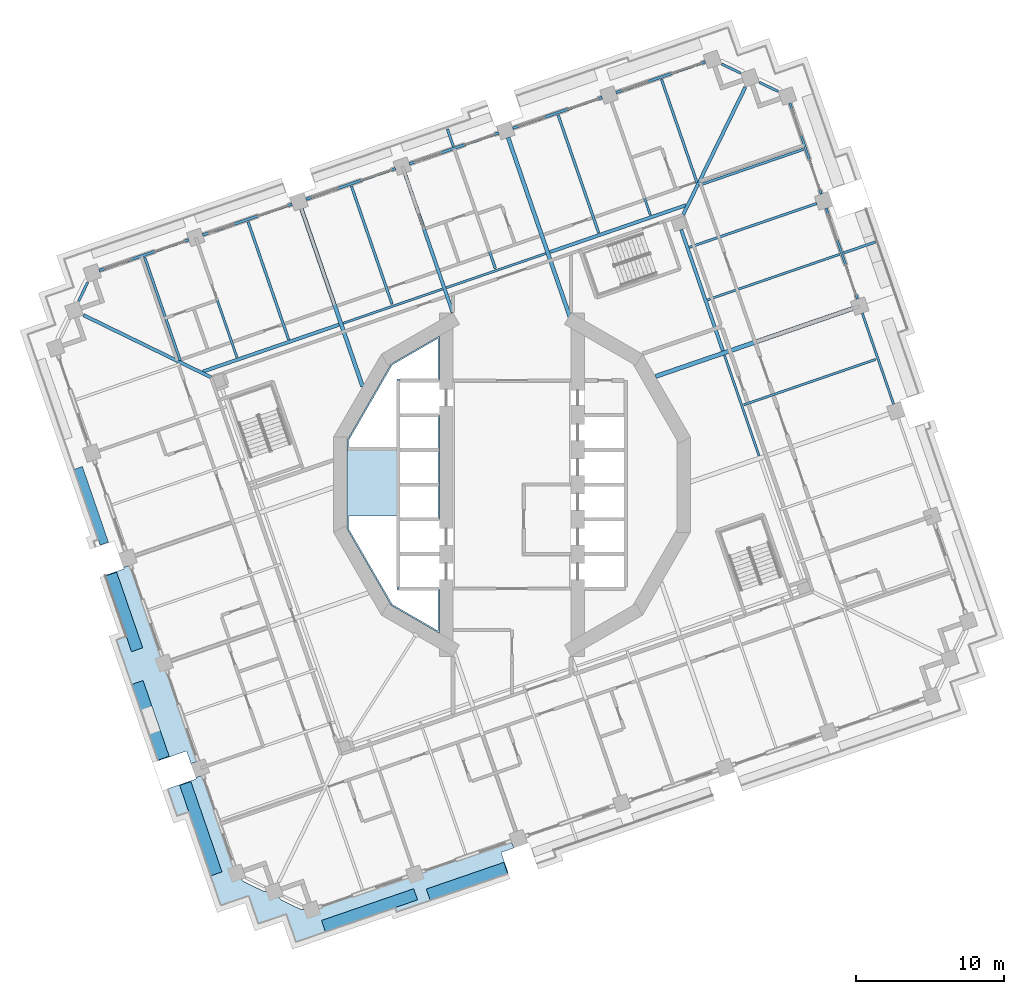
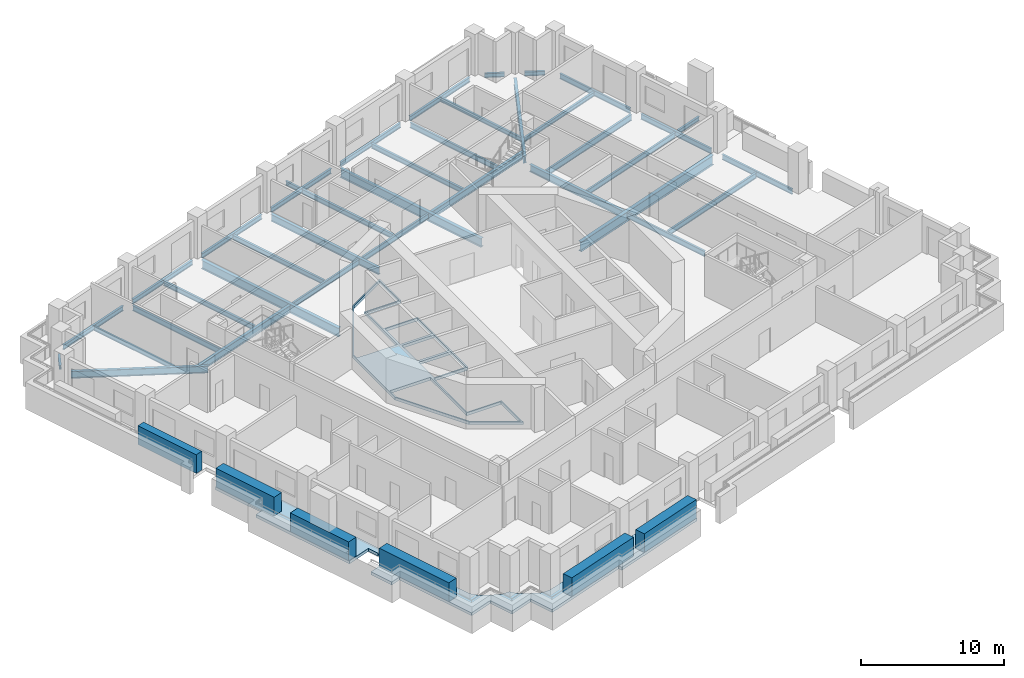
# One storey, part 2 of 19: 38 beams, 6 plates, 3 slabs.
"""IFC4 building model written with IfcOpenShell, lengths in metres."""

from ifc_helpers import new_model, si_unit, direction, frame, origin, origin_2d, place, context, subcontext, project, spatial, polyline, rectangle, i_section, outline, extrude, material, layer, layer_set, material_profile, profile_set, type_object, element, save


model = new_model("IFC4")

# Units and contexts
model_context = context("Model", 3, precision=1e-05, world=origin(), true_north=direction((0.0, 1.0)))
body_context = subcontext(model_context, "Body", "Model", "MODEL_VIEW")
ifc_project = project(units=[si_unit("LENGTHUNIT", "METRE"), si_unit("AREAUNIT", "SQUARE_METRE"), si_unit("VOLUMEUNIT", "CUBIC_METRE"), si_unit("PLANEANGLEUNIT", "RADIAN"), si_unit("MASSUNIT", "GRAM", prefix="KILO")], contexts=[model_context])

# Site, building, storey
site_placement = place(None, origin())
site = spatial("IfcSite", under=ifc_project, at=site_placement, CompositionType="ELEMENT")
building_placement = place(site_placement, origin())
building = spatial("IfcBuilding", under=site, at=building_placement, Name="Cantera Rosa Tower", CompositionType="ELEMENT")
storey_placement = place(building_placement, frame((0.0, 0.0, 111.699951171875)))
storey = spatial("IfcBuildingStorey", under=building, at=storey_placement, Name="L22", CompositionType="ELEMENT", Elevation=111.699951171875)

# Beams
ifc_material_1 = material(Name="Steel ASTM A992 (Fy 345 MPa)", Category="steel")
ifc_material_profile_1 = material_profile(ifc_material_1, i_section(OverallWidth=0.154052734375, OverallDepth=0.4599609375, WebThickness=0.009033203125, FlangeThickness=0.015380859375, FilletRadius=0.01025390625, at=origin_2d()), Name="W460X68")
ifc_profile_set_1 = profile_set([ifc_material_profile_1], Name="Steel ASTM A992 (Fy 345 MPa)")
beam_type_1 = type_object("IfcBeamType", Name="STEEL BEAM W460X68", PredefinedType="BEAM", material=ifc_profile_set_1)
for number, where, z_axis, x_axis, name in (
    (1, (6.7333984375, 25.903564453125, -0.47998046875), (0.325580085327, -0.945514467387, 0.0), (0.945514467387, 0.325580085327, 0.0), "G-Z2-05 L22"),
    (2, (-21.25390625, 16.2666015625, -0.47998046875), (0.325580085327, -0.945514467387, 0.0), (0.945514467387, 0.325580085327, 0.0), "G-Z2-09 L22"),
):
    element("IfcBeam", number, at=place(storey_placement, frame(where, z_axis=z_axis, x_axis=x_axis)), inside=storey, type_object=beam_type_1, Name=name, PredefinedType="BEAM", context=body_context, shape_type="SweptSolid", body=[
        extrude(i_section(OverallWidth=0.154052734375, OverallDepth=0.4599609375, WebThickness=0.009033203125, FlangeThickness=0.015380859375, FilletRadius=0.01025390625, at=origin_2d()), origin(), (0.0, 0.0, 1.0), 8.10009765625),
    ])
beam_1_placement = place(storey_placement, frame((-11.42919921875, 10.924072265625, -0.47998046875), z_axis=(0.945518325606, 0.32556888049, 0.0), x_axis=(-0.32556888049, 0.945518325606, 0.0)))
element("IfcBeam", 3, at=beam_1_placement, inside=storey, type_object=beam_type_1, Name="RB-Z2-02 L22", PredefinedType="BEAM", context=body_context, shape_type="SweptSolid", body=[
    extrude(i_section(OverallWidth=0.154052734375, OverallDepth=0.4599609375, WebThickness=0.009033203125, FlangeThickness=0.015380859375, FilletRadius=0.01025390625, at=origin_2d()), origin(), (0.0, 0.0, 1.0), 7.099853515625),
])
beam_2_placement = place(storey_placement, frame((-4.432373046875, 13.333251953125, -0.47998046875), z_axis=(0.945507740063, 0.325599621437, 0.0), x_axis=(-0.325599621437, 0.945507740063, 0.0)))
element("IfcBeam", 4, at=beam_2_placement, inside=storey, type_object=beam_type_1, Name="RB-Z2-03 L22", PredefinedType="BEAM", context=body_context, shape_type="SweptSolid", body=[
    extrude(i_section(OverallWidth=0.154052734375, OverallDepth=0.4599609375, WebThickness=0.009033203125, FlangeThickness=0.015380859375, FilletRadius=0.01025390625, at=origin_2d()), origin(), (0.0, 0.0, 1.0), 7.10009765625),
])
beam_3_placement = place(storey_placement, frame((16.72900390625, 1.9423828125, -0.47998046875), z_axis=(-0.325575881702, 0.94551591486, 0.0), x_axis=(-0.94551591486, -0.325575881702, 0.0)))
element("IfcBeam", 5, at=beam_3_placement, inside=storey, type_object=beam_type_1, Name="RB-Z2-10 L22", PredefinedType="BEAM", context=body_context, shape_type="SweptSolid", body=[
    extrude(i_section(OverallWidth=0.154052734375, OverallDepth=0.4599609375, WebThickness=0.009033203125, FlangeThickness=0.015380859375, FilletRadius=0.01025390625, at=origin_2d()), origin(), (0.0, 0.0, 1.0), 7.2197265625),
])
ifc_material_2 = material(Name="Steel ASTM A992 (Fy 345 MPa)", Category="steel")
ifc_material_profile_2 = material_profile(ifc_material_2, i_section(OverallWidth=0.166015625, OverallDepth=0.528076171875, WebThickness=0.009765625, FlangeThickness=0.013671875, FilletRadius=0.0126953125, at=origin_2d()), Name="W530X74")
ifc_profile_set_2 = profile_set([ifc_material_profile_2], Name="Steel ASTM A992 (Fy 345 MPa)")
beam_type_2 = type_object("IfcBeamType", Name="STEEL BEAM W530X74", PredefinedType="BEAM", material=ifc_profile_set_2)
beam_4_placement = place(storey_placement, frame((20.62744140625, 19.032470703125, -0.513916015625), z_axis=(-0.94551971591, -0.325564842737, 0.0), x_axis=(0.325564842737, -0.94551971591, 0.0)))
element("IfcBeam", 6, at=beam_4_placement, inside=storey, type_object=beam_type_2, Name="G-Z2-04 L22", PredefinedType="BEAM", context=body_context, shape_type="SweptSolid", body=[
    extrude(i_section(OverallWidth=0.166015625, OverallDepth=0.528076171875, WebThickness=0.009765625, FlangeThickness=0.013671875, FilletRadius=0.0126953125, at=origin_2d()), origin(), (0.0, 0.0, 1.0), 9.10009765625),
])
ifc_material_3 = material(Name="Steel ASTM A992 (Fy 345 MPa)", Category="steel")
ifc_material_profile_3 = material_profile(ifc_material_3, i_section(OverallWidth=0.22802734375, OverallDepth=0.60205078125, WebThickness=0.010498046875, FlangeThickness=0.014892578125, FilletRadius=0.0126953125, at=origin_2d()), Name="W610X101")
ifc_profile_set_3 = profile_set([ifc_material_profile_3], Name="Steel ASTM A992 (Fy 345 MPa)")
beam_type_3 = type_object("IfcBeamType", Name="STEEL BEAM W610X101", PredefinedType="BEAM", material=ifc_profile_set_3)
beam_5_placement = place(storey_placement, frame((15.7998046875, 26.909912109375, -0.551025390625), z_axis=(-0.438387618569, -0.898786012288, 0.0), x_axis=(0.898786012288, -0.438387618569, 0.0)))
element("IfcBeam", 7, at=beam_5_placement, inside=storey, type_object=beam_type_3, Name="CB-Z2-01 L22", PredefinedType="BEAM", context=body_context, shape_type="SweptSolid", body=[
    extrude(i_section(OverallWidth=0.22802734375, OverallDepth=0.60205078125, WebThickness=0.010498046875, FlangeThickness=0.014892578125, FilletRadius=0.0126953125, at=origin_2d()), origin(), (0.0, 0.0, 1.0), 9.61669921875),
])
beam_6_placement = place(storey_placement, frame((-29.017822265625, 11.47802734375, -0.551025390625), z_axis=(0.898796015179, -0.438367109965, 0.0), x_axis=(0.438367109965, 0.898796015179, 0.0)))
element("IfcBeam", 8, at=beam_6_placement, inside=storey, type_object=beam_type_3, Name="CB-Z2-02 L22", PredefinedType="BEAM", context=body_context, shape_type="SweptSolid", body=[
    extrude(i_section(OverallWidth=0.22802734375, OverallDepth=0.60205078125, WebThickness=0.010498046875, FlangeThickness=0.014892578125, FilletRadius=0.0126953125, at=origin_2d()), origin(), (0.0, 0.0, 1.0), 9.616455078125),
])
beam_7_placement = place(storey_placement, frame((-7.26025390625, 21.0849609375, -0.551025390625), z_axis=(0.325587365823, -0.945511960377, 0.0), x_axis=(0.945511960377, 0.325587365823, 0.0)))
element("IfcBeam", 9, at=beam_7_placement, inside=storey, type_object=beam_type_3, Name="G-Z2-07 L22", PredefinedType="BEAM", context=body_context, shape_type="SweptSolid", body=[
    extrude(i_section(OverallWidth=0.22802734375, OverallDepth=0.60205078125, WebThickness=0.010498046875, FlangeThickness=0.014892578125, FilletRadius=0.0126953125, at=origin_2d()), origin(), (0.0, 0.0, 1.0), 10.0),
])
beam_8_placement = place(storey_placement, frame((14.28076171875, 9.052490234375, -0.551025390625), z_axis=(-0.325559468466, 0.945521566381, 0.0), x_axis=(-0.945521566381, -0.325559468466, 0.0)))
element("IfcBeam", 10, at=beam_8_placement, inside=storey, type_object=beam_type_3, Name="RB-Z2-11 L22", PredefinedType="BEAM", context=body_context, shape_type="SweptSolid", body=[
    extrude(i_section(OverallWidth=0.22802734375, OverallDepth=0.60205078125, WebThickness=0.010498046875, FlangeThickness=0.014892578125, FilletRadius=0.0126953125, at=origin_2d()), origin(), (0.0, 0.0, 1.0), 8.68994140625),
])
ifc_material_4 = material(Name="Steel ASTM A992 (Fy 345 MPa)", Category="steel")
ifc_material_profile_4 = material_profile(ifc_material_4, i_section(OverallWidth=0.22900390625, OverallDepth=0.612060546875, WebThickness=0.011962890625, FlangeThickness=0.01953125, FilletRadius=0.0126953125, at=origin_2d()), Name="W610X125")
ifc_profile_set_4 = profile_set([ifc_material_profile_4], Name="Steel ASTM A992 (Fy 345 MPa)")
beam_type_4 = type_object("IfcBeamType", Name="STEEL BEAM W610X125", PredefinedType="BEAM", material=ifc_profile_set_4)
beam_9_placement = place(storey_placement, frame((-20.931640625, 7.652099609375, -0.555908203125), z_axis=(0.945517116269, 0.32557239263, 0.0), x_axis=(-0.32557239263, 0.945517116269, 0.0)))
element("IfcBeam", 11, at=beam_9_placement, inside=storey, type_object=beam_type_4, Name="RB-Z2-01 L22", PredefinedType="BEAM", context=body_context, shape_type="SweptSolid", body=[
    extrude(i_section(OverallWidth=0.22900390625, OverallDepth=0.612060546875, WebThickness=0.011962890625, FlangeThickness=0.01953125, FilletRadius=0.0126953125, at=origin_2d()), origin(), (0.0, 0.0, 1.0), 9.75),
])
beam_10_placement = place(storey_placement, frame((2.564453125, 15.74267578125, -0.555908203125), z_axis=(0.945524824291, 0.325550006372, 0.0), x_axis=(-0.325550006372, 0.945524824291, 0.0)))
element("IfcBeam", 12, at=beam_10_placement, inside=storey, type_object=beam_type_4, Name="RB-Z2-04 L22", PredefinedType="BEAM", context=body_context, shape_type="SweptSolid", body=[
    extrude(i_section(OverallWidth=0.22900390625, OverallDepth=0.612060546875, WebThickness=0.011962890625, FlangeThickness=0.01953125, FilletRadius=0.0126953125, at=origin_2d()), origin(), (0.0, 0.0, 1.0), 9.749755859375),
])
ifc_material_5 = material(Name="Steel ASTM A992 (Fy 345 MPa)", Category="steel")
ifc_material_profile_5 = material_profile(ifc_material_5, i_section(OverallWidth=0.26708984375, OverallDepth=0.75390625, WebThickness=0.01318359375, FlangeThickness=0.01708984375, FilletRadius=0.0166015625, at=origin_2d()), Name="W760X147")
ifc_profile_set_5 = profile_set([ifc_material_profile_5], Name="Steel ASTM A992 (Fy 345 MPa)")
beam_type_5 = type_object("IfcBeamType", Name="STEEL BEAM W760X147", PredefinedType="BEAM", material=ifc_profile_set_5)
beam_11_placement = place(storey_placement, frame((-0.263427734375, 23.494384765625, -0.626953125), z_axis=(0.325569500581, -0.945518112091, 0.0), x_axis=(0.945518112091, 0.325569500581, 0.0)))
element("IfcBeam", 13, at=beam_11_placement, inside=storey, type_object=beam_type_5, Name="G-Z2-06 L22", PredefinedType="BEAM", context=body_context, shape_type="SweptSolid", body=[
    extrude(i_section(OverallWidth=0.26708984375, OverallDepth=0.75390625, WebThickness=0.01318359375, FlangeThickness=0.01708984375, FilletRadius=0.0166015625, at=origin_2d()), origin(), (0.0, 0.0, 1.0), 13.09521484375),
])
beam_12_placement = place(storey_placement, frame((-14.257080078125, 18.67578125, -0.626953125), z_axis=(0.325575880476, -0.945515915282, 0.0), x_axis=(0.945515915282, 0.325575880476, 0.0)))
element("IfcBeam", 14, at=beam_12_placement, inside=storey, type_object=beam_type_5, Name="G-Z2-08 L22", PredefinedType="BEAM", context=body_context, shape_type="SweptSolid", body=[
    extrude(i_section(OverallWidth=0.26708984375, OverallDepth=0.75390625, WebThickness=0.01318359375, FlangeThickness=0.01708984375, FilletRadius=0.0166015625, at=origin_2d()), origin(), (0.0, 0.0, 1.0), 12.734375),
])
ifc_material_6 = material(Name="Steel ASTM A992 (Fy 345 MPa)", Category="steel")
ifc_material_profile_6 = material_profile(ifc_material_6, i_section(OverallWidth=0.2919921875, OverallDepth=0.8359375, WebThickness=0.013916015625, FlangeThickness=0.018798828125, FilletRadius=0.017822265625, at=origin_2d()), Name="W840X176")
ifc_profile_set_6 = profile_set([ifc_material_profile_6], Name="Steel ASTM A992 (Fy 345 MPa)")
beam_type_6 = type_object("IfcBeamType", Name="STEEL BEAM W840X176", PredefinedType="BEAM", material=ifc_profile_set_6)
beam_13_placement = place(storey_placement, frame((23.07568359375, 11.92236328125, -0.66796875), z_axis=(-0.945516836256, -0.325573205833, 0.0), x_axis=(0.325573205833, -0.945516836256, 0.0)))
element("IfcBeam", 15, at=beam_13_placement, inside=storey, type_object=beam_type_6, Name="G-Z2-03 L22", PredefinedType="BEAM", context=body_context, shape_type="SweptSolid", body=[
    extrude(i_section(OverallWidth=0.2919921875, OverallDepth=0.8359375, WebThickness=0.013916015625, FlangeThickness=0.018798828125, FilletRadius=0.017822265625, at=origin_2d()), origin(), (0.0, 0.0, 1.0), 14.130615234375),
])
ifc_material_7 = material(Name="Steel ASTM A992 (Fy 345 MPa)", Category="steel")
ifc_material_profile_7 = material_profile(ifc_material_7, i_section(OverallWidth=0.1708984375, OverallDepth=0.35595703125, WebThickness=0.00732421875, FlangeThickness=0.01171875, FilletRadius=0.010009765625, at=origin_2d()), Name="W360X51")
ifc_profile_set_7 = profile_set([ifc_material_profile_7], Name="Steel ASTM A992 (Fy 345 MPa)")
beam_type_7 = type_object("IfcBeamType", Name="STEEL JOIST W360X51", PredefinedType="JOIST", material=ifc_profile_set_7)
beam_14_placement = place(storey_placement, frame((19.734130859375, 22.70166015625, -0.427978515625), z_axis=(-0.945518264054, -0.32556905925, 0.0), x_axis=(0.32556905925, -0.945518264054, 0.0)))
element("IfcBeam", 16, at=beam_14_placement, inside=storey, type_object=beam_type_7, Name="B-Z2-05 L22", PredefinedType="JOIST", context=body_context, shape_type="SweptSolid", body=[
    extrude(i_section(OverallWidth=0.1708984375, OverallDepth=0.35595703125, WebThickness=0.00732421875, FlangeThickness=0.01171875, FilletRadius=0.010009765625, at=origin_2d()), origin(), (0.0, 0.0, 1.0), 7.4599609375),
])
for number, where, z_axis, x_axis, name in (
    (17, (10.117919921875, 27.43896484375, -0.427978515625), (0.325565645331, -0.945519439557, 0.0), (0.945519439557, 0.325565645331, 0.0), "B-Z2-06 L22"),
    (18, (-24.8662109375, 15.39306640625, -0.427978515625), (0.325565645331, -0.945519439557, 0.0), (0.945519439557, 0.325565645331, 0.0), "B-Z2-11 L22"),
):
    element("IfcBeam", number, at=place(storey_placement, frame(where, z_axis=z_axis, x_axis=x_axis)), inside=storey, type_object=beam_type_7, Name=name, PredefinedType="JOIST", context=body_context, shape_type="SweptSolid", body=[
        extrude(i_section(OverallWidth=0.1708984375, OverallDepth=0.35595703125, WebThickness=0.00732421875, FlangeThickness=0.01171875, FilletRadius=0.010009765625, at=origin_2d()), origin(), (0.0, 0.0, 1.0), 7.39990234375),
    ])
beam_15_placement = place(storey_placement, frame((-3.966796875, 22.88525390625, -0.427978515625), z_axis=(-0.3256515674, 0.945489850104, 0.0), x_axis=(-0.945489850104, -0.3256515674, 0.0)))
element("IfcBeam", 19, at=beam_15_placement, inside=storey, type_object=beam_type_7, Name="BS-Z2-03 L22", PredefinedType="JOIST", context=body_context, shape_type="SweptSolid", body=[
    extrude(i_section(OverallWidth=0.1708984375, OverallDepth=0.35595703125, WebThickness=0.00732421875, FlangeThickness=0.01171875, FilletRadius=0.010009765625, at=origin_2d()), origin(), (0.0, 0.0, 1.0), 1.2646484375),
])
beam_16_placement = place(storey_placement, frame((22.447265625, 15.6826171875, -0.427978515625), z_axis=(0.945527339527, 0.325542701051, 0.0), x_axis=(-0.325542701051, 0.945527339527, 0.0)))
element("IfcBeam", 20, at=beam_16_placement, inside=storey, type_object=beam_type_7, Name="BS-Z2-05 L22", PredefinedType="JOIST", context=body_context, shape_type="SweptSolid", body=[
    extrude(i_section(OverallWidth=0.1708984375, OverallDepth=0.35595703125, WebThickness=0.00732421875, FlangeThickness=0.01171875, FilletRadius=0.010009765625, at=origin_2d()), origin(), (0.0, 0.0, 1.0), 2.284423828125),
])
ifc_material_8 = material(Name="Steel ASTM A992 (Fy 345 MPa)", Category="steel")
ifc_material_profile_8 = material_profile(ifc_material_8, i_section(OverallWidth=0.177978515625, OverallDepth=0.406005859375, WebThickness=0.0078125, FlangeThickness=0.0126953125, FilletRadius=0.01025390625, at=origin_2d()), Name="W410X60")
ifc_profile_set_8 = profile_set([ifc_material_profile_8], Name="Steel ASTM A992 (Fy 345 MPa)")
beam_type_8 = type_object("IfcBeamType", Name="STEEL JOIST W410X60", PredefinedType="JOIST", material=ifc_profile_set_8)
beam_17_placement = place(storey_placement, frame((3.12109375, 25.02978515625, -0.452880859375), z_axis=(0.325565025235, -0.945519653071, 0.0), x_axis=(0.945519653071, 0.325565025235, 0.0)))
element("IfcBeam", 21, at=beam_17_placement, inside=storey, type_object=beam_type_8, Name="B-Z2-07 L22", PredefinedType="JOIST", context=body_context, shape_type="SweptSolid", body=[
    extrude(i_section(OverallWidth=0.177978515625, OverallDepth=0.406005859375, WebThickness=0.0078125, FlangeThickness=0.0126953125, FilletRadius=0.01025390625, at=origin_2d()), origin(), (0.0, 0.0, 1.0), 8.449951171875),
])
for number, where, z_axis, x_axis, name in (
    (22, (-3.875732421875, 22.62060546875, -0.452880859375), (0.325556131421, -0.945522715377, 0.0), (0.945522715377, 0.325556131421, 0.0), "B-Z2-08 L22"),
    (23, (-10.87255859375, 20.21142578125, -0.452880859375), (0.325556131421, -0.945522715377, 0.0), (0.945522715377, 0.325556131421, 0.0), "B-Z2-09 L22"),
    (24, (-17.869384765625, 17.80224609375, -0.452880859375), (0.325556131421, -0.945522715377, 0.0), (0.945522715377, 0.325556131421, 0.0), "B-Z2-10 L22"),
):
    element("IfcBeam", number, at=place(storey_placement, frame(where, z_axis=z_axis, x_axis=x_axis)), inside=storey, type_object=beam_type_8, Name=name, PredefinedType="JOIST", context=body_context, shape_type="SweptSolid", body=[
        extrude(i_section(OverallWidth=0.177978515625, OverallDepth=0.406005859375, WebThickness=0.0078125, FlangeThickness=0.0126953125, FilletRadius=0.01025390625, at=origin_2d()), origin(), (0.0, 0.0, 1.0), 8.4501953125),
    ])
ifc_material_9 = material(Name="Steel ASTM A992 (Fy 345 MPa)", Category="steel")
ifc_material_profile_9 = material_profile(ifc_material_9, i_section(OverallWidth=0.154052734375, OverallDepth=0.4599609375, WebThickness=0.009033203125, FlangeThickness=0.015380859375, FilletRadius=0.01025390625, at=origin_2d()), Name="W460X68")
ifc_profile_set_9 = profile_set([ifc_material_profile_9], Name="Steel ASTM A992 (Fy 345 MPa)")
beam_type_9 = type_object("IfcBeamType", Name="STEEL JOIST W460X68", PredefinedType="JOIST", material=ifc_profile_set_9)
beam_18_placement = place(storey_placement, frame((24.630859375, 8.48095703125, -0.47998046875), z_axis=(-0.945526896389, -0.325543988125, 0.0), x_axis=(0.325543988125, -0.945526896389, 0.0)))
element("IfcBeam", 25, at=beam_18_placement, inside=storey, type_object=beam_type_9, Name="B-Z2-03 L22", PredefinedType="JOIST", context=body_context, shape_type="SweptSolid", body=[
    extrude(i_section(OverallWidth=0.154052734375, OverallDepth=0.4599609375, WebThickness=0.009033203125, FlangeThickness=0.015380859375, FilletRadius=0.01025390625, at=origin_2d()), origin(), (0.0, 0.0, 1.0), 9.4501953125),
])
beam_19_placement = place(storey_placement, frame((22.182373046875, 15.59130859375, -0.47998046875), z_axis=(-0.94551620555, -0.325575037498, 0.0), x_axis=(0.325575037498, -0.94551620555, 0.0)))
element("IfcBeam", 26, at=beam_19_placement, inside=storey, type_object=beam_type_9, Name="B-Z2-04 L22", PredefinedType="JOIST", context=body_context, shape_type="SweptSolid", body=[
    extrude(i_section(OverallWidth=0.154052734375, OverallDepth=0.4599609375, WebThickness=0.009033203125, FlangeThickness=0.015380859375, FilletRadius=0.01025390625, at=origin_2d()), origin(), (0.0, 0.0, 1.0), 9.449951171875),
])
ifc_material_10 = material(Name="Steel ASTM A992 (Fy 345 MPa)", Category="steel")
ifc_material_profile_10 = material_profile(ifc_material_10, i_section(OverallWidth=0.1708984375, OverallDepth=0.35595703125, WebThickness=0.00732421875, FlangeThickness=0.01171875, FilletRadius=0.010009765625, at=origin_2d()), Name="W360X51")
ifc_profile_set_10 = profile_set([ifc_material_profile_10], Name="Steel ASTM A992 (Fy 345 MPa)")
beam_type_10 = type_object("IfcBeamType", Name="STEEL SPANDREL BEAM W360X51", PredefinedType="SPANDREL", material=ifc_profile_set_10)
for number, where, z_axis, x_axis, name in (
    (27, (18.016357421875, 26.61572265625, -0.427978515625), (-0.898803287583, 0.438352198842, 0.0), (-0.438352198842, -0.898803287583, 0.0), "EB-Z2-06 L22"),
    (28, (15.47412109375, 27.85546875, -0.427978515625), (-0.898803287583, 0.438352198842, 0.0), (-0.438352198842, -0.898803287583, 0.0), "EB-Z2-07 L22"),
):
    element("IfcBeam", number, at=place(storey_placement, frame(where, z_axis=z_axis, x_axis=x_axis)), inside=storey, type_object=beam_type_10, Name=name, PredefinedType="SPANDREL", context=body_context, shape_type="SweptSolid", body=[
        extrude(i_section(OverallWidth=0.1708984375, OverallDepth=0.35595703125, WebThickness=0.00732421875, FlangeThickness=0.01171875, FilletRadius=0.010009765625, at=origin_2d()), origin(), (0.0, 0.0, 1.0), 1.4140625),
    ])
beam_20_placement = place(storey_placement, frame((-28.723388671875, 13.694580078125, -0.427978515625), z_axis=(-0.438491655897, -0.898735260079, 0.0), x_axis=(0.898735260079, -0.438491655897, 0.0)))
element("IfcBeam", 29, at=beam_20_placement, inside=storey, type_object=beam_type_10, Name="EB-Z2-14 L22", PredefinedType="SPANDREL", context=body_context, shape_type="SweptSolid", body=[
    extrude(i_section(OverallWidth=0.1708984375, OverallDepth=0.35595703125, WebThickness=0.00732421875, FlangeThickness=0.01171875, FilletRadius=0.010009765625, at=origin_2d()), origin(), (0.0, 0.0, 1.0), 1.414306640625),
])
ifc_material_11 = material(Name="Steel ASTM A992 (Fy 345 MPa)", Category="steel")
ifc_material_profile_11 = material_profile(ifc_material_11, i_section(OverallWidth=0.177978515625, OverallDepth=0.406005859375, WebThickness=0.0078125, FlangeThickness=0.0126953125, FilletRadius=0.01025390625, at=origin_2d()), Name="W410X60")
ifc_profile_set_11 = profile_set([ifc_material_profile_11], Name="Steel ASTM A992 (Fy 345 MPa)")
beam_type_11 = type_object("IfcBeamType", Name="STEEL SPANDREL BEAM W410X60", PredefinedType="SPANDREL", material=ifc_profile_set_11)
for number, where, z_axis, x_axis, name in (
    (30, (13.0947265625, 28.62255859375, -0.452880859375), (-0.945524496524, -0.325550958337, 0.0), (0.325550958337, -0.945524496524, 0.0), "EB-Z2-08 L22"),
    (31, (6.097900390625, 26.21337890625, -0.452880859375), (-0.945524496524, -0.325550958337, 0.0), (0.325550958337, -0.945524496524, 0.0), "EB-Z2-09 L22"),
    (32, (-0.89892578125, 23.80419921875, -0.452880859375), (-0.945524496524, -0.325550958337, 0.0), (0.325550958337, -0.945524496524, 0.0), "EB-Z2-10 L22"),
    (33, (-7.895751953125, 21.39501953125, -0.452880859375), (-0.945524496524, -0.325550958337, 0.0), (0.325550958337, -0.945524496524, 0.0), "EB-Z2-11 L22"),
    (34, (-14.892578125, 18.98583984375, -0.452880859375), (-0.945512753621, -0.325585062219, 0.0), (0.325585062219, -0.945512753621, 0.0), "EB-Z2-12 L22"),
    (35, (-21.889404296875, 16.57666015625, -0.452880859375), (-0.945512753621, -0.325585062219, 0.0), (0.325585062219, -0.945512753621, 0.0), "EB-Z2-13 L22"),
):
    element("IfcBeam", number, at=place(storey_placement, frame(where, z_axis=z_axis, x_axis=x_axis)), inside=storey, type_object=beam_type_11, Name=name, PredefinedType="SPANDREL", context=body_context, shape_type="SweptSolid", body=[
        extrude(i_section(OverallWidth=0.177978515625, OverallDepth=0.406005859375, WebThickness=0.0078125, FlangeThickness=0.0126953125, FilletRadius=0.01025390625, at=origin_2d()), origin(), (0.0, 0.0, 1.0), 6.39990234375),
    ])
ifc_material_12 = material(Name="Steel ASTM A992 (Fy 345 MPa)", Category="steel")
ifc_material_profile_12 = material_profile(ifc_material_12, i_section(OverallWidth=0.154052734375, OverallDepth=0.4599609375, WebThickness=0.009033203125, FlangeThickness=0.015380859375, FilletRadius=0.01025390625, at=origin_2d()), Name="W460X68")
ifc_profile_set_12 = profile_set([ifc_material_profile_12], Name="Steel ASTM A992 (Fy 345 MPa)")
beam_type_12 = type_object("IfcBeamType", Name="STEEL SPANDREL BEAM W460X68", PredefinedType="SPANDREL", material=ifc_profile_set_12)
for number, where, z_axis, x_axis, name in (
    (36, (25.833984375, 5.447509765625, -0.47998046875), (-0.325580990241, 0.945514155787, 0.0), (-0.945514155787, -0.325580990241, 0.0), "EB-Z2-03 L22"),
    (37, (23.3857421875, 12.557861328125, -0.47998046875), (-0.325580990241, 0.945514155787, 0.0), (-0.945514155787, -0.325580990241, 0.0), "EB-Z2-04 L22"),
):
    element("IfcBeam", number, at=place(storey_placement, frame(where, z_axis=z_axis, x_axis=x_axis)), inside=storey, type_object=beam_type_12, Name=name, PredefinedType="SPANDREL", context=body_context, shape_type="SweptSolid", body=[
        extrude(i_section(OverallWidth=0.154052734375, OverallDepth=0.4599609375, WebThickness=0.009033203125, FlangeThickness=0.015380859375, FilletRadius=0.01025390625, at=origin_2d()), origin(), (0.0, 0.0, 1.0), 6.52001953125),
    ])
beam_21_placement = place(storey_placement, frame((20.9375, 19.668212890625, -0.47998046875), z_axis=(-0.325592517631, 0.945510186335, 0.0), x_axis=(-0.945510186335, -0.325592517631, 0.0)))
element("IfcBeam", 38, at=beam_21_placement, inside=storey, type_object=beam_type_12, Name="EB-Z2-05 L22", PredefinedType="SPANDREL", context=body_context, shape_type="SweptSolid", body=[
    extrude(i_section(OverallWidth=0.154052734375, OverallDepth=0.4599609375, WebThickness=0.009033203125, FlangeThickness=0.015380859375, FilletRadius=0.01025390625, at=origin_2d()), origin(), (0.0, 0.0, 1.0), 6.519775390625),
])

# Slabs
ifc_material_13 = material(Name="Concrete C35/45", Category="concrete")
ifc_layer_1 = layer(ifc_material_13, 0.25)
ifc_layer_set_1 = layer_set([ifc_layer_1], Name="COMPOSITE FLOOR SLAB 250 C35/45")
slab_type_1 = type_object("IfcSlabType", Name="COMPOSITE FLOOR SLAB 250 C35/45", PredefinedType="FLOOR", material=ifc_layer_set_1)
slab_1_placement = place(storey_placement, frame((0.0, 0.0, -0.25)))
element("IfcSlab", 39, at=slab_1_placement, inside=storey, type_object=slab_type_1, Name="SLAB L22 floor 1", PredefinedType="FLOOR", context=body_context, shape_type="SweptSolid", body=[
    extrude(outline(polyline([(-7.699951171875, -4.699951171875), (-7.699951171875, -7.050048828125), (-4.89990234375, -7.050048828125), (-4.89990234375, -10.07373046875), (-8.179931640625, -8.179931640625), (-11.174072265625, -2.994140625), (-11.174072265625, 2.994140625), (-8.179931640625, 8.179931640625), (-4.89990234375, 10.07373046875), (-4.89990234375, 7.050048828125), (-7.699951171875, 7.050048828125), (-7.699951171875, 4.699951171875), (-4.89990234375, 4.699951171875), (-4.89990234375, -2.35009765625), (-7.699951171875, -2.35009765625), (-7.699951171875, -4.699951171875)]), holes=[polyline([(-5.0, -7.14990234375), (-7.800048828125, -7.14990234375), (-7.800048828125, -2.449951171875), (-7.800048828125, -2.25), (-7.800048828125, -2.11474609375), (-11.07421875, -2.11474609375), (-11.07421875, -2.96728515625), (-8.106689453125, -8.106689453125), (-5.0, -9.900390625), (-5.0, -7.14990234375)]), polyline([(-5.0, -2.25), (-5.0, -0.10009765625), (-7.60009765625, -0.10009765625), (-7.60009765625, -2.25), (-5.0, -2.25)]), polyline([(-5.0, 0.10009765625), (-5.0, 2.25), (-7.60009765625, 2.25), (-7.60009765625, 0.10009765625), (-5.0, 0.10009765625)]), polyline([(-5.0, 2.449951171875), (-5.0, 4.60009765625), (-7.60009765625, 4.60009765625), (-7.60009765625, 2.449951171875), (-5.0, 2.449951171875)]), polyline([(-5.0, 9.900390625), (-8.106689453125, 8.106689453125), (-11.07421875, 2.96728515625), (-11.07421875, 2.517578125), (-7.800048828125, 2.517578125), (-7.800048828125, 7.14990234375), (-5.0, 7.14990234375), (-5.0, 9.900390625)])]), origin(), (0.0, 0.0, 1.0), 0.25),
])
ifc_material_14 = material(Name="Concrete C35/45", Category="concrete")
ifc_layer_2 = layer(ifc_material_14, 0.25)
ifc_layer_set_2 = layer_set([ifc_layer_2], Name="LOGGIA SLAB 250 C35/45")
slab_type_2 = type_object("IfcSlabType", Name="LOGGIA SLAB 250 C35/45", PredefinedType="FLOOR", material=ifc_layer_set_2)
slab_2_placement = place(storey_placement, frame((0.0, 0.0, -0.25)))
element("IfcSlab", 40, at=slab_2_placement, inside=storey, type_object=slab_type_2, Name="LOGGIA SLAB L22 2", PredefinedType="FLOOR", context=body_context, shape_type="SweptSolid", body=[
    extrude(outline(polyline([(-25.833984375, -5.447509765625), (-21.262939453125, -18.72265625), (-21.735595703125, -18.885498046875), (-22.02880859375, -18.034423828125), (-23.9521484375, -18.69677734375), (-26.769775390625, -10.513916015625), (-26.110107421875, -10.28662109375), (-27.537841796875, -6.139892578125), (-26.274169921875, -5.704833984375), (-26.306640625, -5.6103515625), (-25.833984375, -5.447509765625)])), origin(), (0.0, 0.0, 1.0), 0.25),
])
slab_3_placement = place(storey_placement, frame((0.0, 0.0, -0.25)))
element("IfcSlab", 41, at=slab_3_placement, inside=storey, type_object=slab_type_2, Name="LOGGIA SLAB L22 3", PredefinedType="FLOOR", context=body_context, shape_type="SweptSolid", body=[
    extrude(outline(polyline([(-15.272705078125, -29.05517578125), (-15.556396484375, -29.15283203125), (-17.16357421875, -29.706298828125), (-17.717041015625, -28.09912109375), (-17.814697265625, -27.815185546875), (-18.098388671875, -27.9130859375), (-19.705810546875, -28.466552734375), (-20.25927734375, -26.859130859375), (-21.882568359375, -22.14501953125), (-22.67138671875, -22.41650390625), (-23.301025390625, -20.587646484375), (-21.377685546875, -19.92529296875), (-21.41015625, -19.830810546875), (-20.9375, -19.668212890625), (-18.948974609375, -25.443115234375), (-18.65185546875, -26.3056640625), (-18.240966796875, -26.814453125), (-18.220458984375, -26.83544921875), (-18.197998046875, -26.8544921875), (-18.173583984375, -26.87109375), (-18.14794921875, -26.88525390625), (-16.876708984375, -27.505126953125), (-16.849609375, -27.516845703125), (-16.82177734375, -27.525634765625), (-16.79296875, -27.53173828125), (-16.763671875, -27.534912109375), (-16.109619140625, -27.54541015625), (-15.698974609375, -28.05419921875), (-15.67822265625, -28.075439453125), (-15.65576171875, -28.09423828125), (-15.631591796875, -28.111083984375), (-15.605712890625, -28.125), (-14.334716796875, -28.7451171875), (-14.3076171875, -28.756591796875), (-14.279541015625, -28.765625), (-14.250732421875, -28.771728515625), (-14.221435546875, -28.77490234375), (-13.567626953125, -28.785400390625), (-0.046630859375, -24.1298828125), (0.1162109375, -24.6025390625), (-0.73486328125, -24.8955078125), (-0.24658203125, -26.31298828125), (-7.81005859375, -28.91748046875), (-7.907470703125, -28.634521484375), (-13.01416015625, -30.392822265625), (-14.62158203125, -30.9462890625), (-15.1748046875, -29.3388671875), (-15.272705078125, -29.05517578125)])), origin(), (0.0, 0.0, 1.0), 0.25),
])

# Plates
ifc_material_15 = material(Name="Cantera stone planter with soil", Category="masonry")
plate_type_1 = type_object("IfcPlateType", Name="PLANTER 600", PredefinedType="USERDEFINED", material=ifc_material_15)
plate_1_placement = place(storey_placement, frame((-28.485595703125, -1.43212890625, 0.0), z_axis=(0.0, 0.0, 1.0), x_axis=(0.325568154457, -0.945518575599, 0.0)))
element("IfcPlate", 42, at=plate_1_placement, inside=storey, type_object=plate_type_1, Name="PLANTER L22-13", ObjectType="PLANTER", PredefinedType="USERDEFINED", context=body_context, shape_type="SweptSolid", body=[
    extrude(rectangle(XDim=5.419921875, YDim=0.60009765625, at=origin_2d()), origin(), (0.0, 0.0, 1.0), 1.60009765625),
])
ifc_material_16 = material(Name="Cantera stone planter with soil", Category="masonry")
plate_type_2 = type_object("IfcPlateType", Name="PLANTER 800", PredefinedType="USERDEFINED", material=ifc_material_16)
for number, where, z_axis, x_axis, name in (
    (43, (-26.260986328125, -8.619384765625, 0.0), (0.0, 0.0, 1.0), (0.325568154457, -0.945518575599, 0.0), "PLANTER L22-14"),
    (44, (-24.47265625, -15.956787109375, 0.0), (0.0, 0.0, 1.0), (0.325568154457, -0.945518575599, 0.0), "PLANTER L22-15"),
):
    element("IfcPlate", number, at=place(storey_placement, frame(where, z_axis=z_axis, x_axis=x_axis)), inside=storey, type_object=plate_type_2, Name=name, ObjectType="PLANTER", PredefinedType="USERDEFINED", context=body_context, shape_type="SweptSolid", body=[
        extrude(rectangle(XDim=5.419921875, YDim=0.800048828125, at=origin_2d()), origin(), (0.0, 0.0, 1.0), 1.60009765625),
    ])
plate_2_placement = place(storey_placement, frame((-21.064453125, -23.2919921875, 0.0), z_axis=(0.0, 0.0, 1.0), x_axis=(0.325568154457, -0.945518575599, 0.0)))
element("IfcPlate", 45, at=plate_2_placement, inside=storey, type_object=plate_type_2, Name="PLANTER L22-16", ObjectType="PLANTER", PredefinedType="USERDEFINED", context=body_context, shape_type="SweptSolid", body=[
    extrude(rectangle(XDim=6.469970703125, YDim=0.800048828125, at=origin_2d()), origin(), (0.0, 0.0, 1.0), 1.60009765625),
])
plate_3_placement = place(storey_placement, frame((-9.64599609375, -28.81005859375, 0.0), z_axis=(0.0, 0.0, 1.0), x_axis=(0.945518575599, 0.325568154457, 0.0)))
element("IfcPlate", 46, at=plate_3_placement, inside=storey, type_object=plate_type_2, Name="PLANTER L22-17", ObjectType="PLANTER", PredefinedType="USERDEFINED", context=body_context, shape_type="SweptSolid", body=[
    extrude(rectangle(XDim=6.60009765625, YDim=0.800048828125, at=origin_2d()), origin(), (0.0, 0.0, 1.0), 1.60009765625),
])
plate_4_placement = place(storey_placement, frame((-3.048095703125, -26.8544921875, 0.0), z_axis=(0.0, 0.0, 1.0), x_axis=(0.945518575599, 0.325568154457, 0.0)))
element("IfcPlate", 47, at=plate_4_placement, inside=storey, type_object=plate_type_2, Name="PLANTER L22-18", ObjectType="PLANTER", PredefinedType="USERDEFINED", context=body_context, shape_type="SweptSolid", body=[
    extrude(rectangle(XDim=5.550048828125, YDim=0.800048828125, at=origin_2d()), origin(), (0.0, 0.0, 1.0), 1.60009765625),
])

save(model, "model.ifc")
